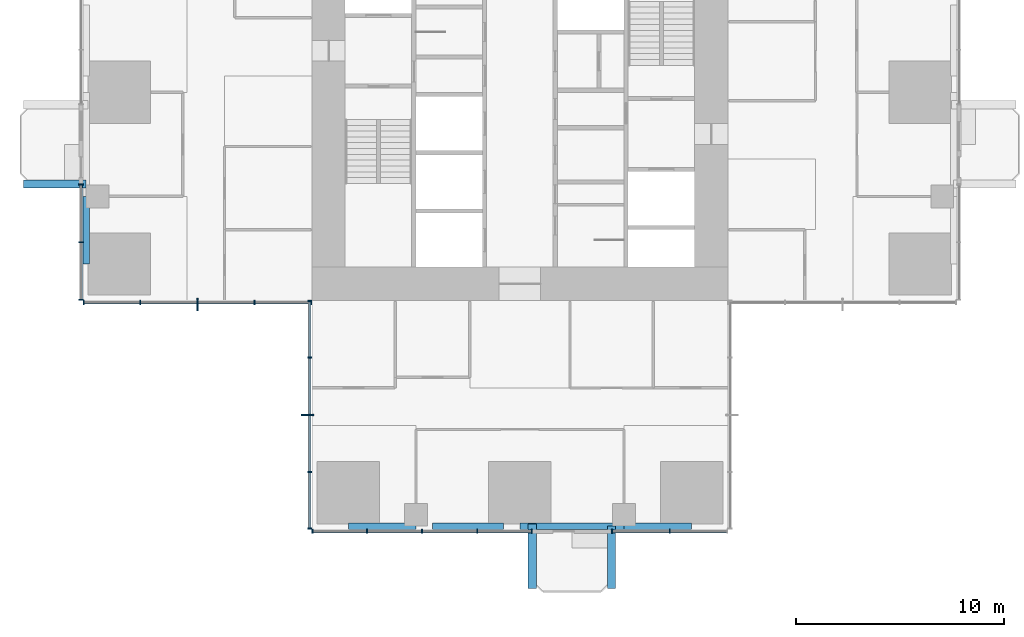
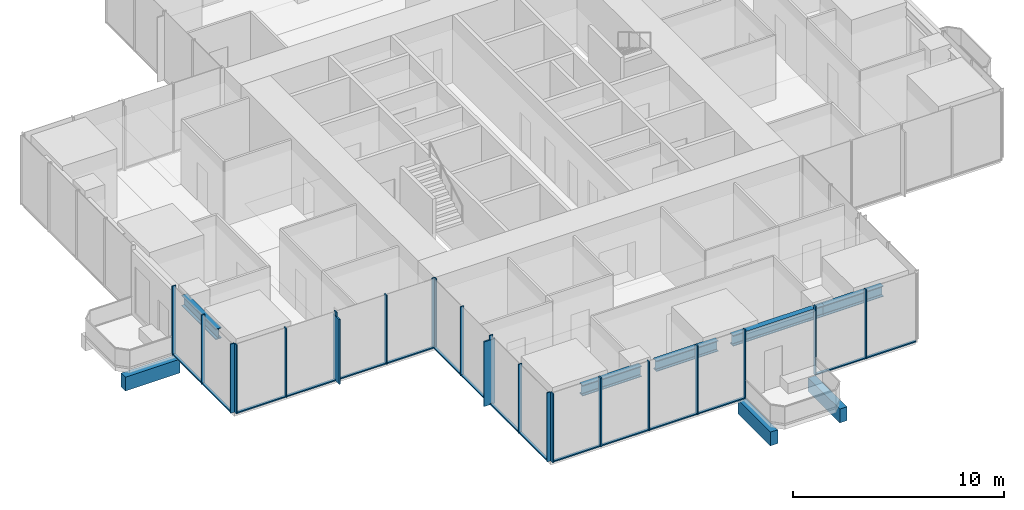
# One storey, part 2 of 13: 38 members, 8 beams, 5 elements without a shape of their own.
"""IFC4 building model written with IfcOpenShell, lengths in metres."""

from ifc_helpers import new_model, si_unit, direction, frame, origin, origin_2d, place, context, subcontext, project, spatial, rectangle, i_section, extrude, material, material_profile, profile_set, type_object, element, aggregate, save


model = new_model("IFC4")

# Units and contexts
model_context = context("Model", 3, precision=1e-05, world=origin(), true_north=direction((0.0, 1.0)))
body_context = subcontext(model_context, "Body", "Model", "MODEL_VIEW")
ifc_project = project(units=[si_unit("LENGTHUNIT", "METRE"), si_unit("AREAUNIT", "SQUARE_METRE"), si_unit("VOLUMEUNIT", "CUBIC_METRE"), si_unit("PLANEANGLEUNIT", "RADIAN"), si_unit("MASSUNIT", "GRAM", prefix="KILO")], contexts=[model_context])

# Site, building, storey
site_placement = place(None, origin())
site = spatial("IfcSite", under=ifc_project, at=site_placement, CompositionType="ELEMENT")
building_placement = place(site_placement, origin())
building = spatial("IfcBuilding", under=site, at=building_placement, Name="Svetlomir Tower", CompositionType="ELEMENT")
storey_placement = place(building_placement, frame((0.0, 0.0, 144.5)))
storey = spatial("IfcBuildingStorey", under=building, at=storey_placement, Name="L34", CompositionType="ELEMENT", Elevation=144.5)

# Beams
ifc_material_1 = material(Name="Concrete C60/75", Category="concrete")
ifc_material_profile_1 = material_profile(ifc_material_1, rectangle(XDim=0.39990234375, YDim=0.800048828125, at=origin_2d()), Name="RC 400x800")
ifc_profile_set_1 = profile_set([ifc_material_profile_1], Name="Concrete C60/75")
beam_type_1 = type_object("IfcBeamType", Name="BALCONY RIB RC 400x800", PredefinedType="BEAM", material=ifc_profile_set_1)
beam_1_placement = place(storey_placement, frame((21.60009765625, 0.25, -0.64990234375), z_axis=(0.0, -1.0, 0.0), x_axis=(1.0, 0.0, 0.0)))
element("IfcBeam", 1, at=beam_1_placement, inside=storey, type_object=beam_type_1, Name="Balcony rib S 1 L34", PredefinedType="BEAM", context=body_context, shape_type="SweptSolid", body=[
    extrude(rectangle(XDim=0.39990234375, YDim=0.800048828125, at=origin_2d()), origin(), (0.0, 0.0, 1.0), 3.10009765625),
])
for number, where, z_axis, x_axis, name in (
    (2, (25.39990234375, 0.14990234375, -0.64990234375), (0.0, -1.0, 0.0), (1.0, 0.0, 0.0), "Balcony rib S 2 L34"),
    (3, (0.14990234375, 16.60009765625, -0.64990234375), (-1.0, 0.0, 0.0), (0.0, -1.0, 0.0), "Balcony rib W 1 L34"),
):
    element("IfcBeam", number, at=place(storey_placement, frame(where, z_axis=z_axis, x_axis=x_axis)), inside=storey, type_object=beam_type_1, Name=name, PredefinedType="BEAM", context=body_context, shape_type="SweptSolid", body=[
        extrude(rectangle(XDim=0.39990234375, YDim=0.800048828125, at=origin_2d()), origin(), (0.0, 0.0, 1.0), 3.0),
    ])

# Curtain wall, member
ifc_material_2 = material(Name="Bronze anodised aluminium curtain wall", Category="aluminium")
curtain_wall_type = type_object("IfcCurtainWallType", Name="CURTAIN WALL CW1 TOWER OFFICE", PredefinedType="NOTDEFINED", material=ifc_material_2)
curtain_wall_1_placement = place(storey_placement, origin())
curtain_wall_1 = element("IfcCurtainWall", 4, at=curtain_wall_1_placement, inside=storey, type_object=curtain_wall_type, Name="Curtain wall CW1 L34", PredefinedType="NOTDEFINED")
ifc_material_3 = material(Name="Bronze anodised aluminium", Category="aluminium")
ifc_material_profile_2 = material_profile(ifc_material_3, rectangle(XDim=0.080078125, YDim=0.60009765625, at=origin_2d()), Name="FIN 80x600")
ifc_profile_set_2 = profile_set([ifc_material_profile_2], Name="Bronze anodised aluminium 6063-T6")
member_type_1 = type_object("IfcMemberType", Name="BRONZE FIN 80x600", PredefinedType="USERDEFINED", material=ifc_profile_set_2)
member_1_placement = place(storey_placement, frame((5.5, 10.800048828125, 0.0), z_axis=(0.0, 0.0, 1.0), x_axis=(1.0, 0.0, 0.0)))
member_1 = element("IfcMember", 5, at=member_1_placement, type_object=member_type_1, Name="Bronze fin L34", ObjectType="FIN", PredefinedType="USERDEFINED", context=body_context, shape_type="SweptSolid", body=[
    extrude(rectangle(XDim=0.080078125, YDim=0.60009765625, at=origin_2d()), origin(), (0.0, 0.0, 1.0), 3.75),
])

curtain_wall_2_placement = place(storey_placement, origin())
curtain_wall_2 = element("IfcCurtainWall", 6, at=curtain_wall_2_placement, inside=storey, type_object=curtain_wall_type, Name="Curtain wall CW1 L34", PredefinedType="NOTDEFINED")
member_2_placement = place(storey_placement, frame((10.800048828125, 5.5, 0.0), z_axis=(0.0, 0.0, 1.0), x_axis=(0.0, 1.0, 0.0)))
member_2 = element("IfcMember", 7, at=member_2_placement, type_object=member_type_1, Name="Bronze fin L34", ObjectType="FIN", PredefinedType="USERDEFINED", context=body_context, shape_type="SweptSolid", body=[
    extrude(rectangle(XDim=0.080078125, YDim=0.60009765625, at=origin_2d()), origin(), (0.0, 0.0, 1.0), 3.75),
])

# Curtain wall, members
curtain_wall_3_placement = place(storey_placement, origin())
curtain_wall_3 = element("IfcCurtainWall", 8, at=curtain_wall_3_placement, inside=storey, type_object=curtain_wall_type, Name="Curtain wall CW1 L34", PredefinedType="NOTDEFINED")
ifc_material_4 = material(Name="Bronze anodised aluminium", Category="aluminium")
ifc_material_profile_3 = material_profile(ifc_material_4, rectangle(XDim=0.06494140625, YDim=0.199951171875, at=origin_2d()), Name="AL 65x200")
ifc_profile_set_3 = profile_set([ifc_material_profile_3], Name="Bronze anodised aluminium 6063-T6")
member_type_2 = type_object("IfcMemberType", Name="CW1 MULLION 65x200", PredefinedType="MULLION", material=ifc_profile_set_3)
member_3_placement = place(storey_placement, frame((11.032470703125, -0.10009765625, 0.0), z_axis=(0.0, 0.0, 1.0), x_axis=(1.0, 0.0, 0.0)))
member_3 = element("IfcMember", 9, at=member_3_placement, type_object=member_type_2, Name="CW1 mullion 1", PredefinedType="MULLION", context=body_context, shape_type="SweptSolid", body=[
    extrude(rectangle(XDim=0.06494140625, YDim=0.199951171875, at=origin_2d()), origin(), (0.0, 0.0, 1.0), 4.0),
])
member_4_placement = place(storey_placement, frame((13.64990234375, -0.10009765625, 0.0), z_axis=(0.0, 0.0, 1.0), x_axis=(1.0, 0.0, 0.0)))
member_4 = element("IfcMember", 10, at=member_4_placement, type_object=member_type_2, Name="CW1 mullion 2", PredefinedType="MULLION", context=body_context, shape_type="SweptSolid", body=[
    extrude(rectangle(XDim=0.06494140625, YDim=0.199951171875, at=origin_2d()), origin(), (0.0, 0.0, 1.0), 4.0),
])
member_5_placement = place(storey_placement, frame((16.300048828125, -0.10009765625, 0.0), z_axis=(0.0, 0.0, 1.0), x_axis=(1.0, 0.0, 0.0)))
member_5 = element("IfcMember", 11, at=member_5_placement, type_object=member_type_2, Name="CW1 mullion 3", PredefinedType="MULLION", context=body_context, shape_type="SweptSolid", body=[
    extrude(rectangle(XDim=0.06494140625, YDim=0.199951171875, at=origin_2d()), origin(), (0.0, 0.0, 1.0), 4.0),
])
member_6_placement = place(storey_placement, frame((18.949951171875, -0.10009765625, 0.0), z_axis=(0.0, 0.0, 1.0), x_axis=(1.0, 0.0, 0.0)))
member_6 = element("IfcMember", 12, at=member_6_placement, type_object=member_type_2, Name="CW1 mullion 4", PredefinedType="MULLION", context=body_context, shape_type="SweptSolid", body=[
    extrude(rectangle(XDim=0.06494140625, YDim=0.199951171875, at=origin_2d()), origin(), (0.0, 0.0, 1.0), 4.0),
])
member_7_placement = place(storey_placement, frame((21.5673828125, -0.10009765625, 0.0), z_axis=(0.0, 0.0, 1.0), x_axis=(1.0, 0.0, 0.0)))
member_7 = element("IfcMember", 13, at=member_7_placement, type_object=member_type_2, Name="CW1 mullion 5", PredefinedType="MULLION", context=body_context, shape_type="SweptSolid", body=[
    extrude(rectangle(XDim=0.06494140625, YDim=0.199951171875, at=origin_2d()), origin(), (0.0, 0.0, 1.0), 4.0),
])

curtain_wall_4_placement = place(storey_placement, origin())
curtain_wall_4 = element("IfcCurtainWall", 14, at=curtain_wall_4_placement, inside=storey, type_object=curtain_wall_type, Name="Curtain wall CW1 L34", PredefinedType="NOTDEFINED")
member_8_placement = place(storey_placement, frame((25.4326171875, -0.10009765625, 0.0), z_axis=(0.0, 0.0, 1.0), x_axis=(1.0, 0.0, 0.0)))
member_8 = element("IfcMember", 15, at=member_8_placement, type_object=member_type_2, Name="CW1 mullion 1", PredefinedType="MULLION", context=body_context, shape_type="SweptSolid", body=[
    extrude(rectangle(XDim=0.06494140625, YDim=0.199951171875, at=origin_2d()), origin(), (0.0, 0.0, 1.0), 4.0),
])
member_9_placement = place(storey_placement, frame((28.199951171875, -0.10009765625, 0.0), z_axis=(0.0, 0.0, 1.0), x_axis=(1.0, 0.0, 0.0)))
member_9 = element("IfcMember", 16, at=member_9_placement, type_object=member_type_2, Name="CW1 mullion 2", PredefinedType="MULLION", context=body_context, shape_type="SweptSolid", body=[
    extrude(rectangle(XDim=0.06494140625, YDim=0.199951171875, at=origin_2d()), origin(), (0.0, 0.0, 1.0), 4.0),
])

curtain_wall_5_placement = place(storey_placement, origin())
curtain_wall_5 = element("IfcCurtainWall", 17, at=curtain_wall_5_placement, inside=storey, type_object=curtain_wall_type, Name="Curtain wall CW1 L34", PredefinedType="NOTDEFINED")
member_10_placement = place(storey_placement, frame((-0.10009765625, 16.5673828125, 0.0), z_axis=(0.0, 0.0, 1.0), x_axis=(0.0, -1.0, 0.0)))
member_10 = element("IfcMember", 18, at=member_10_placement, type_object=member_type_2, Name="CW1 mullion 1", PredefinedType="MULLION", context=body_context, shape_type="SweptSolid", body=[
    extrude(rectangle(XDim=0.06494140625, YDim=0.199951171875, at=origin_2d()), origin(), (0.0, 0.0, 1.0), 4.0),
])
member_11_placement = place(storey_placement, frame((-0.10009765625, 13.800048828125, 0.0), z_axis=(0.0, 0.0, 1.0), x_axis=(0.0, -1.0, 0.0)))
member_11 = element("IfcMember", 19, at=member_11_placement, type_object=member_type_2, Name="CW1 mullion 2", PredefinedType="MULLION", context=body_context, shape_type="SweptSolid", body=[
    extrude(rectangle(XDim=0.06494140625, YDim=0.199951171875, at=origin_2d()), origin(), (0.0, 0.0, 1.0), 4.0),
])
member_12_placement = place(storey_placement, frame((-0.10009765625, 11.032470703125, 0.0), z_axis=(0.0, 0.0, 1.0), x_axis=(0.0, -1.0, 0.0)))
member_12 = element("IfcMember", 20, at=member_12_placement, type_object=member_type_2, Name="CW1 mullion 3", PredefinedType="MULLION", context=body_context, shape_type="SweptSolid", body=[
    extrude(rectangle(XDim=0.06494140625, YDim=0.199951171875, at=origin_2d()), origin(), (0.0, 0.0, 1.0), 4.0),
])

# Member
member_13_placement = place(storey_placement, frame((0.032470703125, 10.89990234375, 0.0), z_axis=(0.0, 0.0, 1.0), x_axis=(1.0, 0.0, 0.0)))
member_13 = element("IfcMember", 21, at=member_13_placement, type_object=member_type_2, Name="CW1 mullion 1", PredefinedType="MULLION", context=body_context, shape_type="SweptSolid", body=[
    extrude(rectangle(XDim=0.06494140625, YDim=0.199951171875, at=origin_2d()), origin(), (0.0, 0.0, 1.0), 4.0),
])

member_14_placement = place(storey_placement, frame((2.75, 10.89990234375, 0.0), z_axis=(0.0, 0.0, 1.0), x_axis=(1.0, 0.0, 0.0)))
member_14 = element("IfcMember", 22, at=member_14_placement, type_object=member_type_2, Name="CW1 mullion 2", PredefinedType="MULLION", context=body_context, shape_type="SweptSolid", body=[
    extrude(rectangle(XDim=0.06494140625, YDim=0.199951171875, at=origin_2d()), origin(), (0.0, 0.0, 1.0), 4.0),
])

member_15_placement = place(storey_placement, frame((5.5, 10.89990234375, 0.0), z_axis=(0.0, 0.0, 1.0), x_axis=(1.0, 0.0, 0.0)))
member_15 = element("IfcMember", 23, at=member_15_placement, type_object=member_type_2, Name="CW1 mullion 3", PredefinedType="MULLION", context=body_context, shape_type="SweptSolid", body=[
    extrude(rectangle(XDim=0.06494140625, YDim=0.199951171875, at=origin_2d()), origin(), (0.0, 0.0, 1.0), 4.0),
])

member_16_placement = place(storey_placement, frame((8.25, 10.89990234375, 0.0), z_axis=(0.0, 0.0, 1.0), x_axis=(1.0, 0.0, 0.0)))
member_16 = element("IfcMember", 24, at=member_16_placement, type_object=member_type_2, Name="CW1 mullion 4", PredefinedType="MULLION", context=body_context, shape_type="SweptSolid", body=[
    extrude(rectangle(XDim=0.06494140625, YDim=0.199951171875, at=origin_2d()), origin(), (0.0, 0.0, 1.0), 4.0),
])

member_17_placement = place(storey_placement, frame((10.967529296875, 10.89990234375, 0.0), z_axis=(0.0, 0.0, 1.0), x_axis=(1.0, 0.0, 0.0)))
member_17 = element("IfcMember", 25, at=member_17_placement, type_object=member_type_2, Name="CW1 mullion 5", PredefinedType="MULLION", context=body_context, shape_type="SweptSolid", body=[
    extrude(rectangle(XDim=0.06494140625, YDim=0.199951171875, at=origin_2d()), origin(), (0.0, 0.0, 1.0), 4.0),
])

member_18_placement = place(storey_placement, frame((10.89990234375, 10.967529296875, 0.0), z_axis=(0.0, 0.0, 1.0), x_axis=(0.0, -1.0, 0.0)))
member_18 = element("IfcMember", 26, at=member_18_placement, type_object=member_type_2, Name="CW1 mullion 1", PredefinedType="MULLION", context=body_context, shape_type="SweptSolid", body=[
    extrude(rectangle(XDim=0.06494140625, YDim=0.199951171875, at=origin_2d()), origin(), (0.0, 0.0, 1.0), 4.0),
])

member_19_placement = place(storey_placement, frame((10.89990234375, 8.25, 0.0), z_axis=(0.0, 0.0, 1.0), x_axis=(0.0, -1.0, 0.0)))
member_19 = element("IfcMember", 27, at=member_19_placement, type_object=member_type_2, Name="CW1 mullion 2", PredefinedType="MULLION", context=body_context, shape_type="SweptSolid", body=[
    extrude(rectangle(XDim=0.06494140625, YDim=0.199951171875, at=origin_2d()), origin(), (0.0, 0.0, 1.0), 4.0),
])

member_20_placement = place(storey_placement, frame((10.89990234375, 5.5, 0.0), z_axis=(0.0, 0.0, 1.0), x_axis=(0.0, -1.0, 0.0)))
member_20 = element("IfcMember", 28, at=member_20_placement, type_object=member_type_2, Name="CW1 mullion 3", PredefinedType="MULLION", context=body_context, shape_type="SweptSolid", body=[
    extrude(rectangle(XDim=0.06494140625, YDim=0.199951171875, at=origin_2d()), origin(), (0.0, 0.0, 1.0), 4.0),
])

member_21_placement = place(storey_placement, frame((10.89990234375, 2.75, 0.0), z_axis=(0.0, 0.0, 1.0), x_axis=(0.0, -1.0, 0.0)))
member_21 = element("IfcMember", 29, at=member_21_placement, type_object=member_type_2, Name="CW1 mullion 4", PredefinedType="MULLION", context=body_context, shape_type="SweptSolid", body=[
    extrude(rectangle(XDim=0.06494140625, YDim=0.199951171875, at=origin_2d()), origin(), (0.0, 0.0, 1.0), 4.0),
])

member_22_placement = place(storey_placement, frame((10.89990234375, 0.032470703125, 0.0), z_axis=(0.0, 0.0, 1.0), x_axis=(0.0, -1.0, 0.0)))
member_22 = element("IfcMember", 30, at=member_22_placement, type_object=member_type_2, Name="CW1 mullion 5", PredefinedType="MULLION", context=body_context, shape_type="SweptSolid", body=[
    extrude(rectangle(XDim=0.06494140625, YDim=0.199951171875, at=origin_2d()), origin(), (0.0, 0.0, 1.0), 4.0),
])

ifc_material_5 = material(Name="Bronze anodised aluminium", Category="aluminium")
ifc_material_profile_4 = material_profile(ifc_material_5, rectangle(XDim=0.139892578125, YDim=0.06494140625, at=origin_2d()), Name="AL 140x65")
ifc_profile_set_4 = profile_set([ifc_material_profile_4], Name="Bronze anodised aluminium 6063-T6")
member_type_3 = type_object("IfcMemberType", Name="CW1 TRANSOM 65x140", PredefinedType="USERDEFINED", material=ifc_profile_set_4)
member_23_placement = place(storey_placement, frame((11.06494140625, -0.10009765625, 0.032470703125), z_axis=(1.0, 0.0, 0.0), x_axis=(0.0, 1.0, 0.0)))
member_23 = element("IfcMember", 31, at=member_23_placement, type_object=member_type_3, Name="CW1 transom 1.1", ObjectType="TRANSOM", PredefinedType="USERDEFINED", context=body_context, shape_type="SweptSolid", body=[
    extrude(rectangle(XDim=0.139892578125, YDim=0.06494140625, at=origin_2d()), origin(), (0.0, 0.0, 1.0), 2.552490234375),
])

member_24_placement = place(storey_placement, frame((13.6826171875, -0.10009765625, 0.032470703125), z_axis=(1.0, 0.0, 0.0), x_axis=(0.0, 1.0, 0.0)))
member_24 = element("IfcMember", 32, at=member_24_placement, type_object=member_type_3, Name="CW1 transom 2.1", ObjectType="TRANSOM", PredefinedType="USERDEFINED", context=body_context, shape_type="SweptSolid", body=[
    extrude(rectangle(XDim=0.139892578125, YDim=0.06494140625, at=origin_2d()), origin(), (0.0, 0.0, 1.0), 2.5849609375),
])

member_25_placement = place(storey_placement, frame((16.33251953125, -0.10009765625, 0.032470703125), z_axis=(1.0, 0.0, 0.0), x_axis=(0.0, 1.0, 0.0)))
member_25 = element("IfcMember", 33, at=member_25_placement, type_object=member_type_3, Name="CW1 transom 3.1", ObjectType="TRANSOM", PredefinedType="USERDEFINED", context=body_context, shape_type="SweptSolid", body=[
    extrude(rectangle(XDim=0.139892578125, YDim=0.06494140625, at=origin_2d()), origin(), (0.0, 0.0, 1.0), 2.5849609375),
])

member_26_placement = place(storey_placement, frame((18.982421875, -0.10009765625, 0.032470703125), z_axis=(1.0, 0.0, 0.0), x_axis=(0.0, 1.0, 0.0)))
member_26 = element("IfcMember", 34, at=member_26_placement, type_object=member_type_3, Name="CW1 transom 4.1", ObjectType="TRANSOM", PredefinedType="USERDEFINED", context=body_context, shape_type="SweptSolid", body=[
    extrude(rectangle(XDim=0.139892578125, YDim=0.06494140625, at=origin_2d()), origin(), (0.0, 0.0, 1.0), 2.552490234375),
])

aggregate(curtain_wall_3, [member_3, member_4, member_5, member_6, member_7, member_23, member_24, member_25, member_26])

member_27_placement = place(storey_placement, frame((25.465087890625, -0.10009765625, 0.032470703125), z_axis=(1.0, 0.0, 0.0), x_axis=(0.0, 1.0, 0.0)))
member_27 = element("IfcMember", 35, at=member_27_placement, type_object=member_type_3, Name="CW1 transom 1.1", ObjectType="TRANSOM", PredefinedType="USERDEFINED", context=body_context, shape_type="SweptSolid", body=[
    extrude(rectangle(XDim=0.139892578125, YDim=0.06494140625, at=origin_2d()), origin(), (0.0, 0.0, 1.0), 2.702392578125),
])

member_28_placement = place(storey_placement, frame((28.232421875, -0.10009765625, 0.032470703125), z_axis=(1.0, 0.0, 0.0), x_axis=(0.0, 1.0, 0.0)))
member_28 = element("IfcMember", 36, at=member_28_placement, type_object=member_type_3, Name="CW1 transom 2.1", ObjectType="TRANSOM", PredefinedType="USERDEFINED", context=body_context, shape_type="SweptSolid", body=[
    extrude(rectangle(XDim=0.139892578125, YDim=0.06494140625, at=origin_2d()), origin(), (0.0, 0.0, 1.0), 2.70263671875),
])

aggregate(curtain_wall_4, [member_8, member_9, member_27, member_28])

member_29_placement = place(storey_placement, frame((-0.10009765625, 16.534912109375, 0.032470703125), z_axis=(0.0, -1.0, 0.0), x_axis=(1.0, 0.0, 0.0)))
member_29 = element("IfcMember", 37, at=member_29_placement, type_object=member_type_3, Name="CW1 transom 1.1", ObjectType="TRANSOM", PredefinedType="USERDEFINED", context=body_context, shape_type="SweptSolid", body=[
    extrude(rectangle(XDim=0.139892578125, YDim=0.06494140625, at=origin_2d()), origin(), (0.0, 0.0, 1.0), 2.702392578125),
])

member_30_placement = place(storey_placement, frame((-0.10009765625, 13.767578125, 0.032470703125), z_axis=(0.0, -1.0, 0.0), x_axis=(1.0, 0.0, 0.0)))
member_30 = element("IfcMember", 38, at=member_30_placement, type_object=member_type_3, Name="CW1 transom 2.1", ObjectType="TRANSOM", PredefinedType="USERDEFINED", context=body_context, shape_type="SweptSolid", body=[
    extrude(rectangle(XDim=0.139892578125, YDim=0.06494140625, at=origin_2d()), origin(), (0.0, 0.0, 1.0), 2.70263671875),
])

aggregate(curtain_wall_5, [member_10, member_11, member_12, member_29, member_30])

member_31_placement = place(storey_placement, frame((0.06494140625, 10.89990234375, 0.032470703125), z_axis=(1.0, 0.0, 0.0), x_axis=(0.0, 1.0, 0.0)))
member_31 = element("IfcMember", 39, at=member_31_placement, type_object=member_type_3, Name="CW1 transom 1.1", ObjectType="TRANSOM", PredefinedType="USERDEFINED", context=body_context, shape_type="SweptSolid", body=[
    extrude(rectangle(XDim=0.139892578125, YDim=0.06494140625, at=origin_2d()), origin(), (0.0, 0.0, 1.0), 2.652587890625),
])

member_32_placement = place(storey_placement, frame((2.782470703125, 10.89990234375, 0.032470703125), z_axis=(1.0, 0.0, 0.0), x_axis=(0.0, 1.0, 0.0)))
member_32 = element("IfcMember", 40, at=member_32_placement, type_object=member_type_3, Name="CW1 transom 2.1", ObjectType="TRANSOM", PredefinedType="USERDEFINED", context=body_context, shape_type="SweptSolid", body=[
    extrude(rectangle(XDim=0.139892578125, YDim=0.06494140625, at=origin_2d()), origin(), (0.0, 0.0, 1.0), 2.68505859375),
])

member_33_placement = place(storey_placement, frame((5.532470703125, 10.89990234375, 0.032470703125), z_axis=(1.0, 0.0, 0.0), x_axis=(0.0, 1.0, 0.0)))
member_33 = element("IfcMember", 41, at=member_33_placement, type_object=member_type_3, Name="CW1 transom 3.1", ObjectType="TRANSOM", PredefinedType="USERDEFINED", context=body_context, shape_type="SweptSolid", body=[
    extrude(rectangle(XDim=0.139892578125, YDim=0.06494140625, at=origin_2d()), origin(), (0.0, 0.0, 1.0), 2.68505859375),
])

member_34_placement = place(storey_placement, frame((8.282470703125, 10.89990234375, 0.032470703125), z_axis=(1.0, 0.0, 0.0), x_axis=(0.0, 1.0, 0.0)))
member_34 = element("IfcMember", 42, at=member_34_placement, type_object=member_type_3, Name="CW1 transom 4.1", ObjectType="TRANSOM", PredefinedType="USERDEFINED", context=body_context, shape_type="SweptSolid", body=[
    extrude(rectangle(XDim=0.139892578125, YDim=0.06494140625, at=origin_2d()), origin(), (0.0, 0.0, 1.0), 2.652587890625),
])

aggregate(curtain_wall_1, [member_13, member_14, member_15, member_16, member_17, member_31, member_32, member_33, member_34, member_1])

member_35_placement = place(storey_placement, frame((10.89990234375, 10.93505859375, 0.032470703125), z_axis=(0.0, -1.0, 0.0), x_axis=(1.0, 0.0, 0.0)))
member_35 = element("IfcMember", 43, at=member_35_placement, type_object=member_type_3, Name="CW1 transom 1.1", ObjectType="TRANSOM", PredefinedType="USERDEFINED", context=body_context, shape_type="SweptSolid", body=[
    extrude(rectangle(XDim=0.139892578125, YDim=0.06494140625, at=origin_2d()), origin(), (0.0, 0.0, 1.0), 2.652587890625),
])

member_36_placement = place(storey_placement, frame((10.89990234375, 8.217529296875, 0.032470703125), z_axis=(0.0, -1.0, 0.0), x_axis=(1.0, 0.0, 0.0)))
member_36 = element("IfcMember", 44, at=member_36_placement, type_object=member_type_3, Name="CW1 transom 2.1", ObjectType="TRANSOM", PredefinedType="USERDEFINED", context=body_context, shape_type="SweptSolid", body=[
    extrude(rectangle(XDim=0.139892578125, YDim=0.06494140625, at=origin_2d()), origin(), (0.0, 0.0, 1.0), 2.68505859375),
])

member_37_placement = place(storey_placement, frame((10.89990234375, 5.467529296875, 0.032470703125), z_axis=(0.0, -1.0, 0.0), x_axis=(1.0, 0.0, 0.0)))
member_37 = element("IfcMember", 45, at=member_37_placement, type_object=member_type_3, Name="CW1 transom 3.1", ObjectType="TRANSOM", PredefinedType="USERDEFINED", context=body_context, shape_type="SweptSolid", body=[
    extrude(rectangle(XDim=0.139892578125, YDim=0.06494140625, at=origin_2d()), origin(), (0.0, 0.0, 1.0), 2.68505859375),
])

member_38_placement = place(storey_placement, frame((10.89990234375, 2.717529296875, 0.032470703125), z_axis=(0.0, -1.0, 0.0), x_axis=(1.0, 0.0, 0.0)))
member_38 = element("IfcMember", 46, at=member_38_placement, type_object=member_type_3, Name="CW1 transom 4.1", ObjectType="TRANSOM", PredefinedType="USERDEFINED", context=body_context, shape_type="SweptSolid", body=[
    extrude(rectangle(XDim=0.139892578125, YDim=0.06494140625, at=origin_2d()), origin(), (0.0, 0.0, 1.0), 2.652587890625),
])

aggregate(curtain_wall_2, [member_18, member_19, member_20, member_21, member_22, member_35, member_36, member_37, member_38, member_2])

# Beams
ifc_material_6 = material(Name="Steel S355", Category="steel")
ifc_material_profile_5 = material_profile(ifc_material_6, i_section(OverallWidth=0.304931640625, OverallDepth=0.6201171875, WebThickness=0.02099609375, FlangeThickness=0.0400390625, FilletRadius=0.027099609375, at=origin_2d()), Name="HEM 600")
ifc_profile_set_5 = profile_set([ifc_material_profile_5], Name="Steel S355")
beam_type_2 = type_object("IfcBeamType", Name="EDGE BEAM HEM 600", PredefinedType="SPANDREL", material=ifc_profile_set_5)
for number, where, z_axis, x_axis, name in (
    (47, (12.75, 0.152587890625, 3.43994140625), (1.0, 0.0, 0.0), (0.0, 1.0, 0.0), "Edge beam 11/0 to 16/0 under L35"),
    (48, (0.152587890625, 12.75, 3.43994140625), (0.0, 1.0, 0.0), (-1.0, 0.0, 0.0), "Edge beam 0/11 to 0/16 under L35"),
):
    element("IfcBeam", number, at=place(storey_placement, frame(where, z_axis=z_axis, x_axis=x_axis)), inside=storey, type_object=beam_type_2, Name=name, PredefinedType="SPANDREL", context=body_context, shape_type="SweptSolid", body=[
        extrude(i_section(OverallWidth=0.304931640625, OverallDepth=0.6201171875, WebThickness=0.02099609375, FlangeThickness=0.0400390625, FilletRadius=0.027099609375, at=origin_2d()), origin(), (0.0, 0.0, 1.0), 3.25),
    ])
beam_2_placement = place(storey_placement, frame((16.800048828125, 0.152587890625, 3.43994140625), z_axis=(1.0, 0.0, 0.0), x_axis=(0.0, 1.0, 0.0)))
element("IfcBeam", 49, at=beam_2_placement, inside=storey, type_object=beam_type_2, Name="Edge beam 16/0 to 21/0 under L35", PredefinedType="SPANDREL", context=body_context, shape_type="SweptSolid", body=[
    extrude(i_section(OverallWidth=0.304931640625, OverallDepth=0.6201171875, WebThickness=0.02099609375, FlangeThickness=0.0400390625, FilletRadius=0.027099609375, at=origin_2d()), origin(), (0.0, 0.0, 1.0), 3.39990234375),
])
beam_3_placement = place(storey_placement, frame((21.0, 0.152587890625, 3.43994140625), z_axis=(1.0, 0.0, 0.0), x_axis=(0.0, 1.0, 0.0)))
element("IfcBeam", 50, at=beam_3_placement, inside=storey, type_object=beam_type_2, Name="Edge beam 21/0 to 26/0 under L35", PredefinedType="SPANDREL", context=body_context, shape_type="SweptSolid", body=[
    extrude(i_section(OverallWidth=0.304931640625, OverallDepth=0.6201171875, WebThickness=0.02099609375, FlangeThickness=0.0400390625, FilletRadius=0.027099609375, at=origin_2d()), origin(), (0.0, 0.0, 1.0), 5.0),
])
beam_4_placement = place(storey_placement, frame((26.0, 0.152587890625, 3.43994140625), z_axis=(1.0, 0.0, 0.0), x_axis=(0.0, 1.0, 0.0)))
element("IfcBeam", 51, at=beam_4_placement, inside=storey, type_object=beam_type_2, Name="Edge beam 26/0 to 31/0 under L35", PredefinedType="SPANDREL", context=body_context, shape_type="SweptSolid", body=[
    extrude(i_section(OverallWidth=0.304931640625, OverallDepth=0.6201171875, WebThickness=0.02099609375, FlangeThickness=0.0400390625, FilletRadius=0.027099609375, at=origin_2d()), origin(), (0.0, 0.0, 1.0), 3.25),
])

save(model, "model.ifc")
